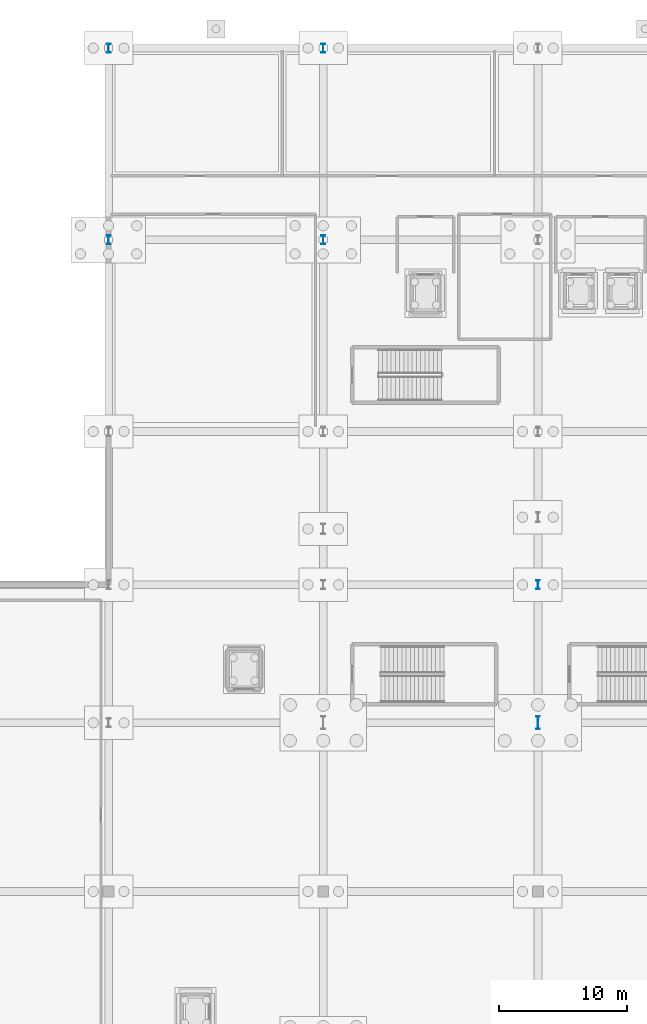
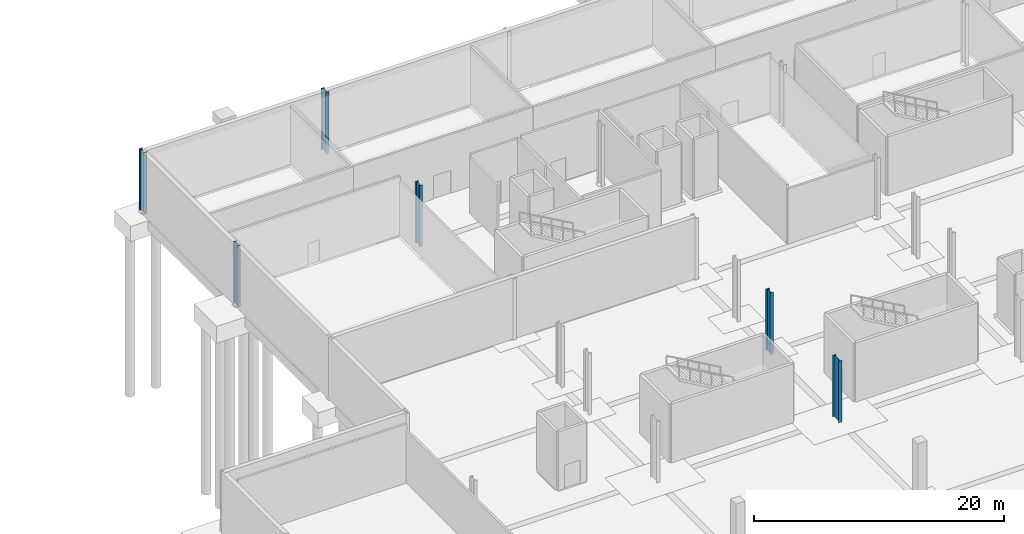
# One storey, part 12 of 46: 6 columns.
"""IFC4 building model written with IfcOpenShell, lengths in metres."""

import ifcopenshell
import ifcopenshell.guid

model = None  # the IFC model being written
_history = None  # IfcOwnerHistory: only IFC2X3 demands one
_inside = {}  # id of a spatial element -> (the spatial element, [elements in it])
_under = {}  # id of a project, library or spatial element -> (it, [spatial elements below it])
_declared = {}  # id of a project -> (the project, [libraries it declares])
_typed = {}  # id of a type object -> (the type object, [elements of that type])
_made_of = {}  # id of a material, layer set ... -> (it, [elements and type objects made of it])


def new_model(schema):
    """Start an empty IFC model of exactly this schema.

    Asked for "IFC4X3", IfcOpenShell would pick the latest addendum, in which some entities
    have other attributes; the version numbers below select the first issue.
    IFC2X3 requires an IfcOwnerHistory on every rooted entity: one is made here for all.
    """
    global model, _history
    if schema == "IFC4X3":
        model = ifcopenshell.file(schema_version=(4, 3, 0, 0))
    else:
        model = ifcopenshell.file(schema=schema)
    _inside.clear()
    _under.clear()
    _declared.clear()
    _typed.clear()
    _made_of.clear()
    _history = None
    if model.schema == "IFC2X3":
        org = make("IfcOrganization", Name="unknown")
        user = make(
            "IfcPersonAndOrganization",
            ThePerson=make("IfcPerson", FamilyName="unknown"),
            TheOrganization=org,
        )
        app = make(
            "IfcApplication",
            ApplicationDeveloper=org,
            Version="unknown",
            ApplicationFullName="unknown",
            ApplicationIdentifier="unknown",
        )
        _history = make(
            "IfcOwnerHistory",
            OwningUser=user,
            OwningApplication=app,
            ChangeAction="ADDED",
            CreationDate=0,
        )
    return model


def make(cls, **values):
    """One entity of the class cls with the attributes given. An attribute that is None is left unset."""
    return model.create_entity(
        cls, **{name: value for name, value in values.items() if value is not None}
    )


def rooted(cls, **values):
    """An entity with a GlobalId (a new one), such as an element, a storey or a relation."""
    return make(cls, GlobalId=ifcopenshell.guid.new(), OwnerHistory=_history, **values)


def si_unit(unit_type, name, prefix=None):
    """IfcSIUnit, for example si_unit("LENGTHUNIT", "METRE", prefix="MILLI")."""
    return make("IfcSIUnit", UnitType=unit_type, Prefix=prefix, Name=name)


def assignment(units):
    """IfcUnitAssignment: the units of a project."""
    return None if units is None else make("IfcUnitAssignment", Units=units)


def point(xyz):
    """IfcCartesianPoint."""
    return None if xyz is None else make("IfcCartesianPoint", Coordinates=xyz)


def direction(xyz):
    """IfcDirection."""
    return None if xyz is None else make("IfcDirection", DirectionRatios=xyz)


def frame(location, z_axis=None, x_axis=None):
    """IfcAxis2Placement3D, a coordinate frame: its origin and axes. An axis left out is left unset."""
    return make(
        "IfcAxis2Placement3D",
        Location=point(location),
        Axis=direction(z_axis),
        RefDirection=direction(x_axis),
    )


def frame_2d(location, x_axis=None):
    """IfcAxis2Placement2D, a coordinate frame in the plane: its origin and x axis."""
    return make(
        "IfcAxis2Placement2D", Location=point(location), RefDirection=direction(x_axis)
    )


def origin():
    """The frame at (0, 0, 0) with its axes left unset."""
    return frame((0.0, 0.0, 0.0))


def origin_2d():
    """The frame at (0, 0) in the plane with its x axis left unset."""
    return frame_2d((0.0, 0.0))


def place(relative_to, where):
    """IfcLocalPlacement: puts the frame where relative to a parent placement (None: the world)."""
    return make(
        "IfcLocalPlacement", PlacementRelTo=relative_to, RelativePlacement=where
    )


def context(
    kind, dimensions, precision=None, world=None, true_north=None, identifier=None
):
    """IfcGeometricRepresentationContext, for example the 3D "Model" context."""
    return make(
        "IfcGeometricRepresentationContext",
        ContextIdentifier=identifier,
        ContextType=kind,
        CoordinateSpaceDimension=dimensions,
        Precision=precision,
        WorldCoordinateSystem=world,
        TrueNorth=true_north,
    )


def subcontext(parent, identifier, kind, view, scale=None):
    """IfcGeometricRepresentationSubContext, for example "Body" below "Model"."""
    return make(
        "IfcGeometricRepresentationSubContext",
        ContextIdentifier=identifier,
        ContextType=kind,
        ParentContext=parent,
        TargetScale=scale,
        TargetView=view,
    )


def project(units=None, contexts=None):
    """IfcProject with its units and contexts."""
    return rooted(
        "IfcProject",
        Name="project",
        RepresentationContexts=contexts,
        UnitsInContext=assignment(units),
    )


def spatial(cls, under=None, at=None, **own):
    """A site, building, storey or space (cls), placed at a placement, below another one or the project."""
    s = rooted(cls, ObjectPlacement=at, **own)
    if under is not None:
        _under.setdefault(under.id(), (under, []))[1].append(s)
    return s


def profile(cls, at=None, kind="AREA", **sizes):
    """A parametric profile (cls). Its sizes go by their IFC names, for example OverallWidth=200.0."""
    return make(cls, ProfileType=kind, Position=at, **sizes)


def i_section(**sizes):
    """IfcIShapeProfileDef."""
    return profile("IfcIShapeProfileDef", **sizes)


def extrude(swept, where, along, depth):
    """IfcExtrudedAreaSolid: the profile swept, set in the frame where, extruded along a direction by depth."""
    return make(
        "IfcExtrudedAreaSolid",
        SweptArea=swept,
        Position=where,
        ExtrudedDirection=direction(along),
        Depth=depth,
    )


def shape(context_of_items, identifier, shape_type, items):
    """IfcShapeRepresentation: the items that make up one representation, for example the "Body"."""
    return make(
        "IfcShapeRepresentation",
        ContextOfItems=context_of_items,
        RepresentationIdentifier=identifier,
        RepresentationType=shape_type,
        Items=items,
    )


def material(Name=None, Category=None):
    """IfcMaterial."""
    return make("IfcMaterial", Name=Name, Category=Category)


def material_profile(
    of_material, cross_section, Name=None, Category=None, Priority=None
):
    """IfcMaterialProfile: a cross section and its material."""
    return make(
        "IfcMaterialProfile",
        Name=Name,
        Material=of_material,
        Profile=cross_section,
        Priority=Priority,
        Category=Category,
    )


def profile_set(profiles, Name=None, composite=None):
    """IfcMaterialProfileSet."""
    return make(
        "IfcMaterialProfileSet",
        Name=Name,
        MaterialProfiles=profiles,
        CompositeProfile=composite,
    )


def made_of(thing, what):
    """Note that an element or type object is made of a material, layer set ...; save() writes the relation."""
    if what is not None:
        _made_of.setdefault(what.id(), (what, []))[1].append(thing)
    return thing


def type_object(cls, material=None, **own):
    """A type object (cls), such as IfcWallType, which elements share."""
    return made_of(rooted(cls, **own), material)


def element(
    cls,
    number,
    at=None,
    inside=None,
    cuts=None,
    type_object=None,
    material=None,
    context=None,
    identifier="Body",
    shape_type=None,
    held_by="IfcProductDefinitionShape",
    body=None,
    shapes=None,
    **own,
):
    """One element of the class cls, such as IfcWall. Its Tag is "e" and its number.

    at: its placement. inside: the storey or other place that contains it. cuts: it is an
    opening in that element (IfcRelVoidsElement). A single representation is given by context,
    identifier, shape_type and body (its items); several are given by shapes. held_by: the class
    of the entity that holds the representations. save() writes the other relations.
    """
    e = rooted(cls, Tag="e%d" % number, ObjectPlacement=at, **own)
    if body is not None:
        shapes = [shape(context, identifier, shape_type, body)]
    if shapes is not None:
        e.Representation = make(held_by, Representations=shapes)
    if inside is not None:
        _inside.setdefault(inside.id(), (inside, []))[1].append(e)
    if cuts is not None:
        rooted(
            "IfcRelVoidsElement", RelatingBuildingElement=cuts, RelatedOpeningElement=e
        )
    if type_object is not None:
        _typed.setdefault(type_object.id(), (type_object, []))[1].append(e)
    return made_of(e, material)


def aggregate(whole, parts):
    """IfcRelAggregates: a whole, such as a stair, and the parts it consists of."""
    return rooted("IfcRelAggregates", RelatingObject=whole, RelatedObjects=parts)


def save(model, path):
    """Write the relations noted so far, then the file.

    IfcRelAggregates (storeys below a building ...), IfcRelContainedInSpatialStructure (elements
    in a storey), IfcRelDefinesByType, IfcRelAssociatesMaterial and IfcRelDeclares: one each for
    every whole, place, type object, material and project.
    """
    for whole, parts in _under.values():
        aggregate(whole, parts)
    for where, things in _inside.values():
        rooted(
            "IfcRelContainedInSpatialStructure",
            RelatedElements=things,
            RelatingStructure=where,
        )
    for kind, things in _typed.values():
        rooted("IfcRelDefinesByType", RelatedObjects=things, RelatingType=kind)
    for what, things in _made_of.values():
        rooted("IfcRelAssociatesMaterial", RelatedObjects=things, RelatingMaterial=what)
    for by, libraries in _declared.values():
        rooted("IfcRelDeclares", RelatingContext=by, RelatedDefinitions=libraries)
    model.write(path)


model = new_model("IFC4")

# Units and contexts
model_context = context("Model", 3, precision=1e-05, world=origin(), true_north=direction((0.0, 1.0)))
body_context = subcontext(model_context, "Body", "Model", "MODEL_VIEW")
ifc_project = project(units=[si_unit("LENGTHUNIT", "METRE"), si_unit("AREAUNIT", "SQUARE_METRE"), si_unit("VOLUMEUNIT", "CUBIC_METRE"), si_unit("PLANEANGLEUNIT", "RADIAN"), si_unit("MASSUNIT", "GRAM", prefix="KILO")], contexts=[model_context])

# Site, building, storey
site_placement = place(None, origin())
site = spatial("IfcSite", under=ifc_project, at=site_placement, CompositionType="ELEMENT")
building_placement = place(site_placement, origin())
building = spatial("IfcBuilding", under=site, at=building_placement, Name="Kimbaza Rail Terminus", CompositionType="ELEMENT")
storey_placement = place(building_placement, frame((0.0, 0.0, -6.0)))
storey = spatial("IfcBuildingStorey", under=building, at=storey_placement, Name="B1", CompositionType="ELEMENT", Elevation=-6.0)

# Columns
ifc_material_1 = material(Name="Steel S355", Category="steel")
ifc_material_profile_1 = material_profile(ifc_material_1, i_section(OverallWidth=0.302001953125, OverallDepth=1.008056640625, WebThickness=0.02099609375, FlangeThickness=0.0400390625, FilletRadius=0.030029296875, at=origin_2d()), Name="HEM 1000")
ifc_profile_set_1 = profile_set([ifc_material_profile_1], Name="Steel S355")
column_type_1 = type_object("IfcColumnType", Name="STR-COL-HEM1000", PredefinedType="COLUMN", material=ifc_profile_set_1)
column_placement = place(storey_placement, frame((88.800048828125, 80.199951171875, 0.0), z_axis=(0.0, 0.0, 1.0), x_axis=(1.0, 0.0, 0.0)))
element("IfcColumn", 1, at=column_placement, inside=storey, type_object=column_type_1, Name="North Transfer Pier B1 (2,0)", PredefinedType="COLUMN", context=body_context, shape_type="SweptSolid", body=[
    extrude(i_section(OverallWidth=0.302001953125, OverallDepth=1.008056640625, WebThickness=0.02099609375, FlangeThickness=0.0400390625, FilletRadius=0.030029296875, at=origin_2d()), origin(), (0.0, 0.0, 1.0), 6.0),
])
ifc_material_2 = material(Name="Steel S355", Category="steel")
ifc_material_profile_2 = material_profile(ifc_material_2, i_section(OverallWidth=0.303955078125, OverallDepth=0.716064453125, WebThickness=0.02099609375, FlangeThickness=0.0400390625, FilletRadius=0.027099609375, at=origin_2d()), Name="HEM 700")
ifc_profile_set_2 = profile_set([ifc_material_profile_2], Name="Steel S355")
column_type_2 = type_object("IfcColumnType", Name="STR-COL-HEM700", PredefinedType="COLUMN", material=ifc_profile_set_2)
for number, where, z_axis, x_axis, name in (
    (2, (55.199951171875, 118.0, 0.0), (0.0, 0.0, 1.0), (1.0, 0.0, 0.0), "Operations Column B1 (0,1)"),
    (3, (55.199951171875, 133.0, 0.0), (0.0, 0.0, 1.0), (1.0, 0.0, 0.0), "Operations Column B1 (0,2)"),
    (4, (72.0, 118.0, 0.0), (0.0, 0.0, 1.0), (1.0, 0.0, 0.0), "Operations Column B1 (1,1)"),
    (5, (72.0, 133.0, 0.0), (0.0, 0.0, 1.0), (1.0, 0.0, 0.0), "Operations Column B1 (1,2)"),
    (6, (88.800048828125, 91.0, 0.0), (0.0, 0.0, 1.0), (1.0, 0.0, 0.0), "North Transfer Pier B1 (2,1)"),
):
    element("IfcColumn", number, at=place(storey_placement, frame(where, z_axis=z_axis, x_axis=x_axis)), inside=storey, type_object=column_type_2, Name=name, PredefinedType="COLUMN", context=body_context, shape_type="SweptSolid", body=[
        extrude(i_section(OverallWidth=0.303955078125, OverallDepth=0.716064453125, WebThickness=0.02099609375, FlangeThickness=0.0400390625, FilletRadius=0.027099609375, at=origin_2d()), origin(), (0.0, 0.0, 1.0), 6.0),
    ])

save(model, "model.ifc")
